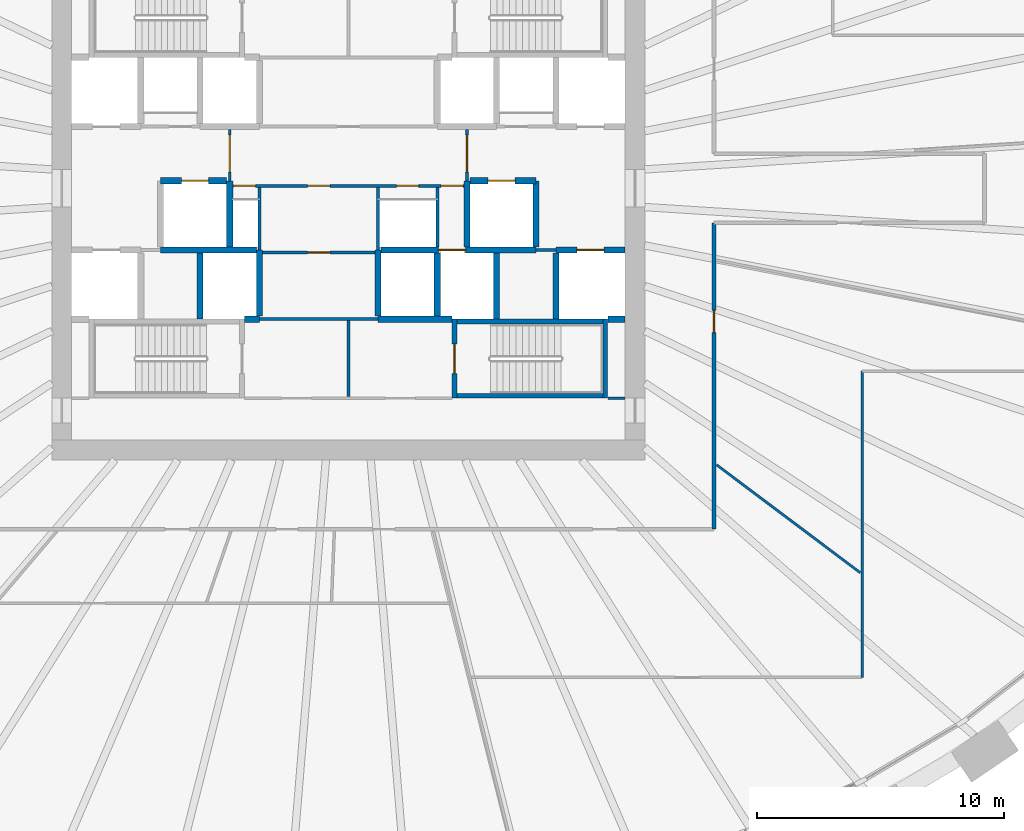
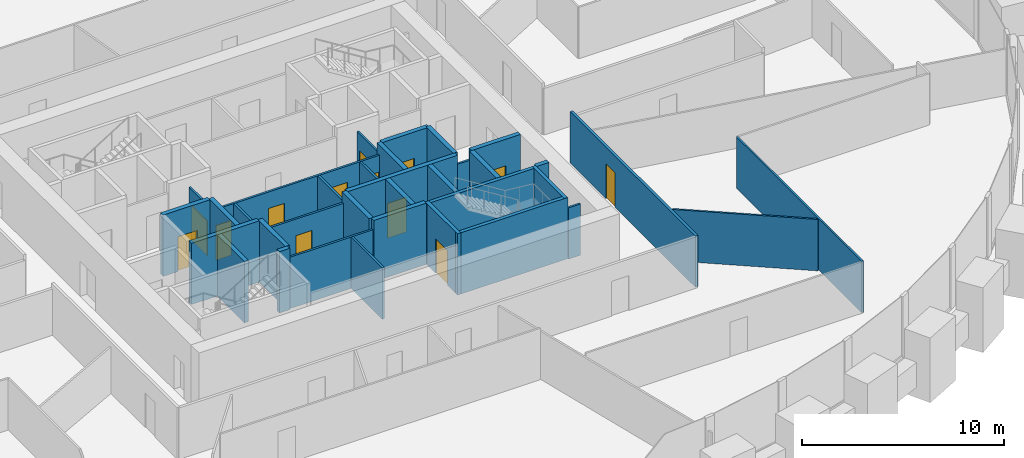
# One storey, part 7 of 11: 35 walls, 13 doors, 13 openings.
"""IFC4 building model written with IfcOpenShell, lengths in metres."""

from ifc_helpers import new_model, si_unit, direction, frame, frame_2d, origin, place, context, subcontext, project, spatial, rectangle, extrude, source, transform, mapped, material, layer, layer_set, type_object, element, fill, save


model = new_model("IFC4")

# Units and contexts
model_context = context("Model", 3, precision=1e-05, world=origin(), true_north=direction((0.0, 1.0)))
body_context = subcontext(model_context, "Body", "Model", "MODEL_VIEW")
ifc_project = project(units=[si_unit("LENGTHUNIT", "METRE"), si_unit("AREAUNIT", "SQUARE_METRE"), si_unit("VOLUMEUNIT", "CUBIC_METRE"), si_unit("PLANEANGLEUNIT", "RADIAN"), si_unit("MASSUNIT", "GRAM", prefix="KILO")], contexts=[model_context])

# Site, building, storey
site_placement = place(None, origin())
site = spatial("IfcSite", under=ifc_project, at=site_placement, CompositionType="ELEMENT")
building_placement = place(site_placement, origin())
building = spatial("IfcBuilding", under=site, at=building_placement, Name="Embergate Tower", CompositionType="ELEMENT")
storey_placement = place(building_placement, frame((0.0, 0.0, 135.89990234375)))
storey = spatial("IfcBuildingStorey", under=building, at=storey_placement, Name="L29", CompositionType="ELEMENT", Elevation=135.89990234375)

# Wall, opening, door
ifc_material_1 = material(Name="Core partition blockwork 120")
ifc_layer_1 = layer(ifc_material_1, 0.1201171875)
ifc_layer_set_1 = layer_set([ifc_layer_1], Name="Core partition blockwork 120")
wall_type_1 = type_object("IfcWallType", Name="Core partition blockwork 120", PredefinedType="PARTITIONING", material=ifc_layer_set_1)
shared_shape_1 = source(origin(), body_context, "Body", "SweptSolid", [
    extrude(rectangle(XDim=2.074951171875, YDim=0.1201171875, at=frame_2d((1.03759765625, 0.0))), origin(), (0.0, 0.0, 1.0), 3.10009765625),
])
wall_1_placement = place(storey_placement, frame((-4.800048828125, 2.375, 0.0), z_axis=(0.0, 0.0, 1.0), x_axis=(0.0, -1.0, 0.0)))
wall_1 = element("IfcWall", 1, at=wall_1_placement, inside=storey, type_object=wall_type_1, Name="IP-3 wall", PredefinedType="PARTITIONING", context=body_context, shape_type="MappedRepresentation", body=[
    mapped(shared_shape_1, transform((0.0, 0.0, 0.0))),
])
shared_shape_2 = source(origin(), body_context, "Body", "SweptSolid", [
    extrude(rectangle(XDim=1.5, YDim=2.10009765625, at=frame_2d((0.75, 1.050048828125))), frame((0.0, 0.070068359375, 0.0), z_axis=(0.0, -1.0, 0.0), x_axis=(1.0, 0.0, 0.0)), (0.0, 0.0, 1.0), 0.14013671875),
])
opening_1_placement = place(wall_1_placement, frame((0.22509765625, 0.0, 0.0)))
opening_1 = element("IfcOpeningElement", 2, at=opening_1_placement, cuts=wall_1, Name="Opening IF-3", PredefinedType="OPENING", context=body_context, shape_type="MappedRepresentation", body=[
    mapped(shared_shape_2, transform((0.0, 0.0, 0.0))),
])
ifc_material_2 = material(Name="Lobby fire door pair 1500")
door_type_1 = type_object("IfcDoorType", Name="Lobby fire door pair 1500", OperationType="DOUBLE_DOOR_SINGLE_SWING", PredefinedType="DOOR", material=ifc_material_2)
shared_shape_3 = source(origin(), body_context, "Body", "SweptSolid", [
    extrude(rectangle(XDim=1.5, YDim=2.10009765625, at=frame_2d((0.75, 1.050048828125))), frame((0.0, 0.02490234375, 0.0), z_axis=(0.0, -1.0, 0.0), x_axis=(1.0, 0.0, 0.0)), (0.0, 0.0, 1.0), 0.050048828125),
])
door_1_placement = place(opening_1_placement, origin())
door_1 = element("IfcDoor", 3, at=door_1_placement, inside=storey, type_object=door_type_1, Name="IF-3 door", OperationType="DOUBLE_DOOR_SINGLE_SWING", OverallHeight=2.10009765625, OverallWidth=1.5, PredefinedType="DOOR", context=body_context, shape_type="MappedRepresentation", body=[
    mapped(shared_shape_3, transform((0.0, 0.0, 0.0))),
])
fill(opening_1, door_1)

wall_2_placement = place(storey_placement, frame((4.800048828125, 0.300048828125, 0.0), z_axis=(0.0, 0.0, 1.0), x_axis=(0.0, 1.0, 0.0)))
wall_2 = element("IfcWall", 4, at=wall_2_placement, inside=storey, type_object=wall_type_1, Name="IP-3 wall", PredefinedType="PARTITIONING", context=body_context, shape_type="MappedRepresentation", body=[
    mapped(shared_shape_1, transform((0.0, 0.0, 0.0))),
])
opening_2_placement = place(wall_2_placement, frame((0.35009765625, 0.0, 0.0)))
opening_2 = element("IfcOpeningElement", 5, at=opening_2_placement, cuts=wall_2, Name="Opening IF-3", PredefinedType="OPENING", context=body_context, shape_type="MappedRepresentation", body=[
    mapped(shared_shape_2, transform((0.0, 0.0, 0.0))),
])
door_2_placement = place(opening_2_placement, origin())
door_2 = element("IfcDoor", 6, at=door_2_placement, inside=storey, type_object=door_type_1, Name="IF-3 door", OperationType="DOUBLE_DOOR_SINGLE_SWING", OverallHeight=2.10009765625, OverallWidth=1.5, PredefinedType="DOOR", context=body_context, shape_type="MappedRepresentation", body=[
    mapped(shared_shape_3, transform((0.0, 0.0, 0.0))),
])
fill(opening_2, door_2)

# Walls
ifc_material_3 = material(Name="Concrete C50", Category="concrete")
ifc_layer_2 = layer(ifc_material_3, 0.25)
ifc_layer_set_2 = layer_set([ifc_layer_2], Name="Concrete C50")
wall_type_2 = type_object("IfcWallType", Name="Hoistway wall reinforced concrete 250", PredefinedType="SHEAR", material=ifc_layer_set_2)
shared_shape_4 = source(origin(), body_context, "Body", "SweptSolid", [
    extrude(rectangle(XDim=2.675048828125, YDim=0.25, at=frame_2d((1.33740234375, 0.0))), origin(), (0.0, 0.0, 1.0), 3.7001953125),
])
for number, where, z_axis, x_axis, name in (
    (7, (-3.60009765625, -5.175048828125, 0.0), (0.0, 0.0, 1.0), (0.0, 1.0, 0.0), "HW-1 wall"),
    (8, (1.199951171875, -2.5, 0.0), (0.0, 0.0, 1.0), (0.0, -1.0, 0.0), "HW-1 wall"),
    (9, (-4.800048828125, 0.300048828125, 0.0), (0.0, 0.0, 1.0), (0.0, -1.0, 0.0), "HW-1 wall"),
    (10, (4.800048828125, -2.375, 0.0), (0.0, 0.0, 1.0), (0.0, 1.0, 0.0), "HW-1 wall"),
):
    element("IfcWall", number, at=place(storey_placement, frame(where, z_axis=z_axis, x_axis=x_axis)), inside=storey, type_object=wall_type_2, Name=name, PredefinedType="SHEAR", context=body_context, shape_type="MappedRepresentation", body=[
        mapped(shared_shape_4, transform((0.0, 0.0, 0.0))),
    ])

# Wall, opening, door
wall_3_placement = place(storey_placement, frame((-4.925048828125, 0.300048828125, 0.0), z_axis=(0.0, 0.0, 1.0), x_axis=(-1.0, 0.0, 0.0)))
wall_3 = element("IfcWall", 11, at=wall_3_placement, inside=storey, type_object=wall_type_2, Name="HW-1 wall", PredefinedType="SHEAR", context=body_context, shape_type="MappedRepresentation", body=[
    mapped(shared_shape_4, transform((0.0, 0.0, 0.0))),
])
shared_shape_5 = source(origin(), body_context, "Body", "SweptSolid", [
    extrude(rectangle(XDim=1.10009765625, YDim=2.10009765625, at=frame_2d((0.550048828125, 1.050048828125))), frame((0.0, 0.135009765625, 0.0), z_axis=(0.0, -1.0, 0.0), x_axis=(1.0, 0.0, 0.0)), (0.0, 0.0, 1.0), 0.27001953125),
])
opening_3_placement = place(wall_3_placement, frame((0.72509765625, 0.0, 0.0)))
opening_3 = element("IfcOpeningElement", 12, at=opening_3_placement, cuts=wall_3, Name="Opening LD", PredefinedType="OPENING", context=body_context, shape_type="MappedRepresentation", body=[
    mapped(shared_shape_5, transform((0.0, 0.0, 0.0))),
])
ifc_material_4 = material(Name="Landing door sliding 1100")
door_type_2 = type_object("IfcDoorType", Name="Landing door sliding 1100", OperationType="SLIDING_TO_LEFT", PredefinedType="DOOR", material=ifc_material_4)
shared_shape_6 = source(origin(), body_context, "Body", "SweptSolid", [
    extrude(rectangle(XDim=1.10009765625, YDim=2.10009765625, at=frame_2d((0.550048828125, 1.050048828125))), frame((0.0, 0.02490234375, 0.0), z_axis=(0.0, -1.0, 0.0), x_axis=(1.0, 0.0, 0.0)), (0.0, 0.0, 1.0), 0.050048828125),
])
door_3_placement = place(opening_3_placement, origin())
door_3 = element("IfcDoor", 13, at=door_3_placement, inside=storey, type_object=door_type_2, Name="LD door", OperationType="SLIDING_TO_LEFT", OverallHeight=2.10009765625, OverallWidth=1.10009765625, PredefinedType="DOOR", context=body_context, shape_type="MappedRepresentation", body=[
    mapped(shared_shape_6, transform((0.0, 0.0, 0.0))),
])
fill(opening_3, door_3)

wall_4_placement = place(storey_placement, frame((7.60009765625, 0.300048828125, 0.0), z_axis=(0.0, 0.0, 1.0), x_axis=(-1.0, 0.0, 0.0)))
wall_4 = element("IfcWall", 14, at=wall_4_placement, inside=storey, type_object=wall_type_2, Name="HW-1 wall", PredefinedType="SHEAR", context=body_context, shape_type="MappedRepresentation", body=[
    mapped(shared_shape_4, transform((0.0, 0.0, 0.0))),
])
opening_4_placement = place(wall_4_placement, frame((0.85009765625, 0.0, 0.0)))
opening_4 = element("IfcOpeningElement", 15, at=opening_4_placement, cuts=wall_4, Name="Opening LD", PredefinedType="OPENING", context=body_context, shape_type="MappedRepresentation", body=[
    mapped(shared_shape_5, transform((0.0, 0.0, 0.0))),
])
door_4_placement = place(opening_4_placement, origin())
door_4 = element("IfcDoor", 16, at=door_4_placement, inside=storey, type_object=door_type_2, Name="LD door", OperationType="SLIDING_TO_LEFT", OverallHeight=2.10009765625, OverallWidth=1.10009765625, PredefinedType="DOOR", context=body_context, shape_type="MappedRepresentation", body=[
    mapped(shared_shape_6, transform((0.0, 0.0, 0.0))),
])
fill(opening_4, door_4)

# Walls
wall_5_placement = place(storey_placement, frame((7.60009765625, -2.375, 0.0), z_axis=(0.0, 0.0, 1.0), x_axis=(0.0, 1.0, 0.0)))
element("IfcWall", 17, at=wall_5_placement, inside=storey, type_object=wall_type_2, Name="HW-1 wall", PredefinedType="SHEAR", context=body_context, shape_type="MappedRepresentation", body=[
    mapped(shared_shape_4, transform((0.0, 0.0, 0.0))),
])
ifc_layer_3 = layer(ifc_material_3, 0.199951171875)
ifc_layer_set_3 = layer_set([ifc_layer_3], Name="Concrete C50")
wall_type_3 = type_object("IfcWallType", Name="Stair enclosure wall reinforced concrete 250", PredefinedType="SHEAR", material=ifc_layer_set_3)
shared_shape_7 = source(origin(), body_context, "Body", "SweptSolid", [
    extrude(rectangle(XDim=6.300048828125, YDim=0.199951171875, at=frame_2d((3.14990234375, 0.0))), origin(), (0.0, 0.0, 1.0), 3.7001953125),
])
for number, where, z_axis, x_axis, name in (
    (18, (4.199951171875, -5.39990234375, 0.0), (0.0, 0.0, 1.0), (1.0, 0.0, 0.0), "SE-1 wall"),
    (19, (4.199951171875, -8.39990234375, 0.0), (0.0, 0.0, 1.0), (1.0, 0.0, 0.0), "SE-1 wall"),
):
    element("IfcWall", number, at=place(storey_placement, frame(where, z_axis=z_axis, x_axis=x_axis)), inside=storey, type_object=wall_type_3, Name=name, PredefinedType="SHEAR", context=body_context, shape_type="MappedRepresentation", body=[
        mapped(shared_shape_7, transform((0.0, 0.0, 0.0))),
    ])
shared_shape_8 = source(origin(), body_context, "Body", "SweptSolid", [
    extrude(rectangle(XDim=2.550048828125, YDim=0.25, at=frame_2d((1.27490234375, 0.0))), origin(), (0.0, 0.0, 1.0), 3.7001953125),
])
wall_6_placement = place(storey_placement, frame((3.60009765625, -5.175048828125, 0.0), z_axis=(0.0, 0.0, 1.0), x_axis=(0.0, 1.0, 0.0)))
element("IfcWall", 20, at=wall_6_placement, inside=storey, type_object=wall_type_2, Name="HW-1 wall", PredefinedType="SHEAR", context=body_context, shape_type="MappedRepresentation", body=[
    mapped(shared_shape_8, transform((0.0, 0.0, 0.0))),
])

# Wall, opening, door
shared_shape_9 = source(origin(), body_context, "Body", "SweptSolid", [
    extrude(rectangle(XDim=3.199951171875, YDim=0.199951171875, at=frame_2d((1.60009765625, 0.0))), origin(), (0.0, 0.0, 1.0), 3.7001953125),
])
wall_7_placement = place(storey_placement, frame((4.300048828125, -5.300048828125, 0.0), z_axis=(0.0, 0.0, 1.0), x_axis=(0.0, -1.0, 0.0)))
wall_7 = element("IfcWall", 21, at=wall_7_placement, inside=storey, type_object=wall_type_3, Name="SE-1 wall", PredefinedType="SHEAR", context=body_context, shape_type="MappedRepresentation", body=[
    mapped(shared_shape_9, transform((0.0, 0.0, 0.0))),
])
shared_shape_10 = source(origin(), body_context, "Body", "SweptSolid", [
    extrude(rectangle(XDim=1.199951171875, YDim=2.10009765625, at=frame_2d((0.60009765625, 1.050048828125))), frame((0.0, 0.10986328125, 0.0), z_axis=(0.0, -1.0, 0.0), x_axis=(1.0, 0.0, 0.0)), (0.0, 0.0, 1.0), 0.219970703125),
])
opening_5_placement = place(wall_7_placement, frame((1.0, 0.0, 0.0)))
opening_5 = element("IfcOpeningElement", 22, at=opening_5_placement, cuts=wall_7, Name="Opening IF-2", PredefinedType="OPENING", context=body_context, shape_type="MappedRepresentation", body=[
    mapped(shared_shape_10, transform((0.0, 0.0, 0.0))),
])
ifc_material_5 = material(Name="Stair enclosure door 1200")
door_type_3 = type_object("IfcDoorType", Name="Stair enclosure door 1200", OperationType="SINGLE_SWING_LEFT", PredefinedType="DOOR", material=ifc_material_5)
shared_shape_11 = source(origin(), body_context, "Body", "SweptSolid", [
    extrude(rectangle(XDim=1.199951171875, YDim=2.10009765625, at=frame_2d((0.60009765625, 1.050048828125))), frame((0.0, 0.02490234375, 0.0), z_axis=(0.0, -1.0, 0.0), x_axis=(1.0, 0.0, 0.0)), (0.0, 0.0, 1.0), 0.050048828125),
])
door_5_placement = place(opening_5_placement, origin())
door_5 = element("IfcDoor", 23, at=door_5_placement, inside=storey, type_object=door_type_3, Name="IF-2 door", OperationType="SINGLE_SWING_LEFT", OverallHeight=2.10009765625, OverallWidth=1.199951171875, PredefinedType="DOOR", context=body_context, shape_type="MappedRepresentation", body=[
    mapped(shared_shape_11, transform((0.0, 0.0, 0.0))),
])
fill(opening_5, door_5)

ifc_material_6 = material(Name="Corridor wall dry-lined 150")
ifc_layer_4 = layer(ifc_material_6, 0.14990234375)
ifc_layer_set_4 = layer_set([ifc_layer_4], Name="Corridor wall dry-lined 150")
wall_type_4 = type_object("IfcWallType", Name="Corridor wall dry-lined 150", PredefinedType="PARTITIONING", material=ifc_layer_set_4)
shared_shape_12 = source(origin(), body_context, "Body", "SweptSolid", [
    extrude(rectangle(XDim=12.400146484375, YDim=0.14990234375, at=frame_2d((6.2001953125, 0.0))), origin(), (0.0, 0.0, 1.0), 3.10009765625),
])
wall_8_placement = place(storey_placement, frame((14.800048828125, -1.39990234375, 0.0), z_axis=(0.0, 0.0, 1.0), x_axis=(0.0, -1.0, 0.0)))
wall_8 = element("IfcWall", 24, at=wall_8_placement, inside=storey, type_object=wall_type_4, Name="IP-2 wall", PredefinedType="PARTITIONING", context=body_context, shape_type="MappedRepresentation", body=[
    mapped(shared_shape_12, transform((0.0, 0.0, 0.0))),
])
shared_shape_13 = source(origin(), body_context, "Body", "SweptSolid", [
    extrude(rectangle(XDim=0.89990234375, YDim=2.10009765625, at=frame_2d((0.449951171875, 1.050048828125))), frame((0.0, 0.0849609375, 0.0), z_axis=(0.0, -1.0, 0.0), x_axis=(1.0, 0.0, 0.0)), (0.0, 0.0, 1.0), 0.169921875),
])
opening_6_placement = place(wall_8_placement, frame((3.5400390625, 0.0, 0.0)))
opening_6 = element("IfcOpeningElement", 25, at=opening_6_placement, cuts=wall_8, Name="Opening IF-1c", PredefinedType="OPENING", context=body_context, shape_type="MappedRepresentation", body=[
    mapped(shared_shape_13, transform((0.0, 0.0, 0.0))),
])
ifc_material_7 = material(Name="Escape fire door 900")
door_type_4 = type_object("IfcDoorType", Name="Escape fire door 900", OperationType="SINGLE_SWING_LEFT", PredefinedType="DOOR", material=ifc_material_7)
shared_shape_14 = source(origin(), body_context, "Body", "SweptSolid", [
    extrude(rectangle(XDim=0.89990234375, YDim=2.10009765625, at=frame_2d((0.449951171875, 1.050048828125))), frame((0.0, 0.02490234375, 0.0), z_axis=(0.0, -1.0, 0.0), x_axis=(1.0, 0.0, 0.0)), (0.0, 0.0, 1.0), 0.050048828125),
])
door_6_placement = place(opening_6_placement, origin())
door_6 = element("IfcDoor", 26, at=door_6_placement, inside=storey, type_object=door_type_4, Name="IF-1 door", OperationType="SINGLE_SWING_LEFT", OverallHeight=2.10009765625, OverallWidth=0.89990234375, PredefinedType="DOOR", context=body_context, shape_type="MappedRepresentation", body=[
    mapped(shared_shape_14, transform((0.0, 0.0, 0.0))),
])
fill(opening_6, door_6)

# Walls
ifc_material_8 = material(Name="Partition dry-lined 100")
ifc_layer_5 = layer(ifc_material_8, 0.10009765625)
ifc_layer_set_5 = layer_set([ifc_layer_5], Name="Partition dry-lined 100")
wall_type_5 = type_object("IfcWallType", Name="Partition dry-lined 100", PredefinedType="PARTITIONING", material=ifc_layer_set_5)
shared_shape_15 = source(origin(), body_context, "Body", "SweptSolid", [
    extrude(rectangle(XDim=7.272216796875, YDim=0.10009765625, at=frame_2d((3.63623046875, 0.0))), origin(), (0.0, 0.0, 1.0), 3.10009765625),
])
wall_9_placement = place(storey_placement, frame((14.905029296875, -11.194091796875, 0.0), z_axis=(0.0, 0.0, 1.0), x_axis=(0.799621146957, -0.600504805425, 0.0)))
element("IfcWall", 27, at=wall_9_placement, inside=storey, type_object=wall_type_5, Name="IP-1 wall", PredefinedType="PARTITIONING", context=body_context, shape_type="MappedRepresentation", body=[
    mapped(shared_shape_15, transform((0.0, 0.0, 0.0))),
])
shared_shape_16 = source(origin(), body_context, "Body", "SweptSolid", [
    extrude(rectangle(XDim=12.400146484375, YDim=0.10009765625, at=frame_2d((6.2001953125, 0.0))), origin(), (0.0, 0.0, 1.0), 3.10009765625),
])
wall_10_placement = place(storey_placement, frame((20.800048828125, -19.800048828125, 0.0), z_axis=(0.0, 0.0, 1.0), x_axis=(0.0, 1.0, 0.0)))
element("IfcWall", 28, at=wall_10_placement, inside=storey, type_object=wall_type_5, Name="IP-1 wall", PredefinedType="PARTITIONING", context=body_context, shape_type="MappedRepresentation", body=[
    mapped(shared_shape_16, transform((0.0, 0.0, 0.0))),
])

# Wall, openings, doors
shared_shape_17 = source(origin(), body_context, "Body", "SweptSolid", [
    extrude(rectangle(XDim=9.35009765625, YDim=0.1201171875, at=frame_2d((4.675048828125, 0.0))), origin(), (0.0, 0.0, 1.0), 3.10009765625),
])
wall_11_placement = place(storey_placement, frame((-4.675048828125, 0.10009765625, 0.0), z_axis=(0.0, 0.0, 1.0), x_axis=(1.0, 0.0, 0.0)))
wall_11 = element("IfcWall", 29, at=wall_11_placement, inside=storey, type_object=wall_type_1, Name="IP-3 wall", PredefinedType="PARTITIONING", context=body_context, shape_type="MappedRepresentation", body=[
    mapped(shared_shape_17, transform((0.0, 0.0, 0.0))),
])
shared_shape_18 = source(origin(), body_context, "Body", "SweptSolid", [
    extrude(rectangle(XDim=0.89990234375, YDim=2.10009765625, at=frame_2d((0.449951171875, 1.050048828125))), frame((0.0, 0.070068359375, 0.0), z_axis=(0.0, -1.0, 0.0), x_axis=(1.0, 0.0, 0.0)), (0.0, 0.0, 1.0), 0.14013671875),
])
opening_7_placement = place(wall_11_placement, frame((8.425048828125, 0.0, 0.0)))
opening_7 = element("IfcOpeningElement", 30, at=opening_7_placement, cuts=wall_11, Name="Opening IF-3c", PredefinedType="OPENING", context=body_context, shape_type="MappedRepresentation", body=[
    mapped(shared_shape_18, transform((0.0, 0.0, 0.0))),
])
opening_8_placement = place(wall_11_placement, frame((0.02490234375, 0.0, 0.0)))
opening_8 = element("IfcOpeningElement", 31, at=opening_8_placement, cuts=wall_11, Name="Opening ID-1", PredefinedType="OPENING", context=body_context, shape_type="MappedRepresentation", body=[
    mapped(shared_shape_18, transform((0.0, 0.0, 0.0))),
])
opening_9_placement = place(wall_11_placement, frame((6.625, 0.0, 0.0)))
opening_9 = element("IfcOpeningElement", 32, at=opening_9_placement, cuts=wall_11, Name="Opening ID-1", PredefinedType="OPENING", context=body_context, shape_type="MappedRepresentation", body=[
    mapped(shared_shape_18, transform((0.0, 0.0, 0.0))),
])
opening_10_placement = place(wall_11_placement, frame((3.02490234375, 0.0, 0.0)))
opening_10 = element("IfcOpeningElement", 33, at=opening_10_placement, cuts=wall_11, Name="Opening ID-1", PredefinedType="OPENING", context=body_context, shape_type="MappedRepresentation", body=[
    mapped(shared_shape_18, transform((0.0, 0.0, 0.0))),
])
ifc_material_9 = material(Name="Lobby fire door pair 900")
door_type_5 = type_object("IfcDoorType", Name="Lobby fire door pair 900", OperationType="DOUBLE_DOOR_SINGLE_SWING", PredefinedType="DOOR", material=ifc_material_9)
door_7_placement = place(opening_7_placement, origin())
door_7 = element("IfcDoor", 34, at=door_7_placement, inside=storey, type_object=door_type_5, Name="IF-3 door", OperationType="DOUBLE_DOOR_SINGLE_SWING", OverallHeight=2.10009765625, OverallWidth=0.89990234375, PredefinedType="DOOR", context=body_context, shape_type="MappedRepresentation", body=[
    mapped(shared_shape_14, transform((0.0, 0.0, 0.0))),
])
fill(opening_7, door_7)
ifc_material_10 = material(Name="Interior door 900")
door_type_6 = type_object("IfcDoorType", Name="Interior door 900", OperationType="SINGLE_SWING_LEFT", PredefinedType="DOOR", material=ifc_material_10)
door_8_placement = place(opening_8_placement, origin())
door_8 = element("IfcDoor", 35, at=door_8_placement, inside=storey, type_object=door_type_6, Name="ID-1 door", OperationType="SINGLE_SWING_LEFT", OverallHeight=2.10009765625, OverallWidth=0.89990234375, PredefinedType="DOOR", context=body_context, shape_type="MappedRepresentation", body=[
    mapped(shared_shape_14, transform((0.0, 0.0, 0.0))),
])
fill(opening_8, door_8)
door_9_placement = place(opening_9_placement, origin())
door_9 = element("IfcDoor", 36, at=door_9_placement, inside=storey, type_object=door_type_6, Name="ID-1 door", OperationType="SINGLE_SWING_LEFT", OverallHeight=2.10009765625, OverallWidth=0.89990234375, PredefinedType="DOOR", context=body_context, shape_type="MappedRepresentation", body=[
    mapped(shared_shape_14, transform((0.0, 0.0, 0.0))),
])
fill(opening_9, door_9)
door_10_placement = place(opening_10_placement, origin())
door_10 = element("IfcDoor", 37, at=door_10_placement, inside=storey, type_object=door_type_6, Name="ID-1 door", OperationType="SINGLE_SWING_RIGHT", OverallHeight=2.10009765625, OverallWidth=0.89990234375, PredefinedType="DOOR", context=body_context, shape_type="MappedRepresentation", body=[
    mapped(shared_shape_14, transform((0.0, 0.0, 0.0))),
])
fill(opening_10, door_10)

# Walls
shared_shape_19 = source(origin(), body_context, "Body", "SweptSolid", [
    extrude(rectangle(XDim=2.5400390625, YDim=0.1201171875, at=frame_2d((1.27001953125, 0.0))), origin(), (0.0, 0.0, 1.0), 3.10009765625),
])
for number, where, z_axis, x_axis, name in (
    (38, (-3.60009765625, -2.5, 0.0), (0.0, 0.0, 1.0), (0.0, 1.0, 0.0), "IP-3 wall"),
    (39, (1.199951171875, 0.0400390625, 0.0), (0.0, 0.0, 1.0), (0.0, -1.0, 0.0), "IP-3 wall"),
):
    element("IfcWall", number, at=place(storey_placement, frame(where, z_axis=z_axis, x_axis=x_axis)), inside=storey, type_object=wall_type_1, Name=name, PredefinedType="PARTITIONING", context=body_context, shape_type="MappedRepresentation", body=[
        mapped(shared_shape_19, transform((0.0, 0.0, 0.0))),
    ])
shared_shape_20 = source(origin(), body_context, "Body", "SweptSolid", [
    extrude(rectangle(XDim=2.4150390625, YDim=0.1201171875, at=frame_2d((1.20751953125, 0.0))), origin(), (0.0, 0.0, 1.0), 3.10009765625),
])
wall_12_placement = place(storey_placement, frame((3.60009765625, -2.375, 0.0), z_axis=(0.0, 0.0, 1.0), x_axis=(0.0, 1.0, 0.0)))
element("IfcWall", 40, at=wall_12_placement, inside=storey, type_object=wall_type_1, Name="IP-3 wall", PredefinedType="PARTITIONING", context=body_context, shape_type="MappedRepresentation", body=[
    mapped(shared_shape_20, transform((0.0, 0.0, 0.0))),
])
shared_shape_21 = source(origin(), body_context, "Body", "SweptSolid", [
    extrude(rectangle(XDim=3.079833984375, YDim=0.1201171875, at=frame_2d((1.5400390625, 0.0))), origin(), (0.0, 0.0, 1.0), 3.10009765625),
])
wall_13_placement = place(storey_placement, frame((0.0, -8.43994140625, 0.0), z_axis=(0.0, 0.0, 1.0), x_axis=(0.0, 1.0, 0.0)))
element("IfcWall", 41, at=wall_13_placement, inside=storey, type_object=wall_type_1, Name="IP-3 wall", PredefinedType="PARTITIONING", context=body_context, shape_type="MappedRepresentation", body=[
    mapped(shared_shape_21, transform((0.0, 0.0, 0.0))),
])
shared_shape_22 = source(origin(), body_context, "Body", "SweptSolid", [
    extrude(rectangle(XDim=4.800048828125, YDim=0.1201171875, at=frame_2d((2.39990234375, 0.0))), origin(), (0.0, 0.0, 1.0), 3.10009765625),
])
wall_14_placement = place(storey_placement, frame((1.199951171875, -5.300048828125, 0.0), z_axis=(0.0, 0.0, 1.0), x_axis=(-1.0, 0.0, 0.0)))
element("IfcWall", 42, at=wall_14_placement, inside=storey, type_object=wall_type_1, Name="IP-3 wall", PredefinedType="PARTITIONING", context=body_context, shape_type="MappedRepresentation", body=[
    mapped(shared_shape_22, transform((0.0, 0.0, 0.0))),
])

# Wall, opening, door
shared_shape_23 = source(origin(), body_context, "Body", "SweptSolid", [
    extrude(rectangle(XDim=4.550048828125, YDim=0.1201171875, at=frame_2d((2.27490234375, 0.0))), origin(), (0.0, 0.0, 1.0), 3.10009765625),
])
wall_15_placement = place(storey_placement, frame((1.074951171875, -2.60009765625, 0.0), z_axis=(0.0, 0.0, 1.0), x_axis=(-1.0, 0.0, 0.0)))
wall_15 = element("IfcWall", 43, at=wall_15_placement, inside=storey, type_object=wall_type_1, Name="IP-3 wall", PredefinedType="PARTITIONING", context=body_context, shape_type="MappedRepresentation", body=[
    mapped(shared_shape_23, transform((0.0, 0.0, 0.0))),
])
opening_11_placement = place(wall_15_placement, frame((1.824951171875, 0.0, 0.0)))
opening_11 = element("IfcOpeningElement", 44, at=opening_11_placement, cuts=wall_15, Name="Opening ID-1", PredefinedType="OPENING", context=body_context, shape_type="MappedRepresentation", body=[
    mapped(shared_shape_18, transform((0.0, 0.0, 0.0))),
])
door_11_placement = place(opening_11_placement, origin())
door_11 = element("IfcDoor", 45, at=door_11_placement, inside=storey, type_object=door_type_6, Name="ID-1 door", OperationType="SINGLE_SWING_RIGHT", OverallHeight=2.10009765625, OverallWidth=0.89990234375, PredefinedType="DOOR", context=body_context, shape_type="MappedRepresentation", body=[
    mapped(shared_shape_14, transform((0.0, 0.0, 0.0))),
])
fill(opening_11, door_11)

# Walls
shared_shape_24 = source(origin(), body_context, "Body", "SweptSolid", [
    extrude(rectangle(XDim=0.7958984375, YDim=0.1201171875, at=frame_2d((0.39794921875, 0.0))), origin(), (0.0, 0.0, 1.0), 3.10009765625),
])
wall_16_placement = place(storey_placement, frame((7.60205078125, -2.5, 0.0), z_axis=(0.0, 0.0, 1.0), x_axis=(1.0, 0.0, 0.0)))
element("IfcWall", 46, at=wall_16_placement, inside=storey, type_object=wall_type_1, Name="IP-3 wall", PredefinedType="PARTITIONING", context=body_context, shape_type="MappedRepresentation", body=[
    mapped(shared_shape_24, transform((0.0, 0.0, 0.0))),
])
shared_shape_25 = source(origin(), body_context, "Body", "SweptSolid", [
    extrude(rectangle(XDim=0.697998046875, YDim=0.1201171875, at=frame_2d((0.34912109375, 0.0))), origin(), (0.0, 0.0, 1.0), 3.10009765625),
])
wall_17_placement = place(storey_placement, frame((11.199951171875, -8.5, 0.0), z_axis=(0.0, 0.0, 1.0), x_axis=(-1.0, 0.0, 0.0)))
element("IfcWall", 47, at=wall_17_placement, inside=storey, type_object=wall_type_1, Name="IP-3 wall", PredefinedType="PARTITIONING", context=body_context, shape_type="MappedRepresentation", body=[
    mapped(shared_shape_25, transform((0.0, 0.0, 0.0))),
])

# Wall, opening, door
shared_shape_26 = source(origin(), body_context, "Body", "SweptSolid", [
    extrude(rectangle(XDim=2.800048828125, YDim=0.25, at=frame_2d((1.39990234375, 0.0))), origin(), (0.0, 0.0, 1.0), 3.7001953125),
])
wall_18_placement = place(storey_placement, frame((11.199951171875, -2.5, 0.0), z_axis=(0.0, 0.0, 1.0), x_axis=(-1.0, 0.0, 0.0)))
wall_18 = element("IfcWall", 48, at=wall_18_placement, inside=storey, type_object=wall_type_2, Name="HW-1 wall", PredefinedType="SHEAR", context=body_context, shape_type="MappedRepresentation", body=[
    mapped(shared_shape_26, transform((0.0, 0.0, 0.0))),
])
opening_12_placement = place(wall_18_placement, frame((0.85009765625, 0.0, 0.0)))
opening_12 = element("IfcOpeningElement", 49, at=opening_12_placement, cuts=wall_18, Name="Opening LD", PredefinedType="OPENING", context=body_context, shape_type="MappedRepresentation", body=[
    mapped(shared_shape_5, transform((0.0, 0.0, 0.0))),
])
door_12_placement = place(opening_12_placement, origin())
door_12 = element("IfcDoor", 50, at=door_12_placement, inside=storey, type_object=door_type_2, Name="LD door", OperationType="SLIDING_TO_RIGHT", OverallHeight=2.10009765625, OverallWidth=1.10009765625, PredefinedType="DOOR", context=body_context, shape_type="MappedRepresentation", body=[
    mapped(shared_shape_6, transform((0.0, 0.0, 0.0))),
])
fill(opening_12, door_12)

# Walls
shared_shape_27 = source(origin(), body_context, "Body", "SweptSolid", [
    extrude(rectangle(XDim=0.599853515625, YDim=0.25, at=frame_2d((0.2998046875, 0.0))), origin(), (0.0, 0.0, 1.0), 3.7001953125),
])
wall_19_placement = place(storey_placement, frame((-4.199951171875, -5.300048828125, 0.0), z_axis=(0.0, 0.0, 1.0), x_axis=(1.0, 0.0, 0.0)))
element("IfcWall", 51, at=wall_19_placement, inside=storey, type_object=wall_type_2, Name="HW-1 wall", PredefinedType="SHEAR", context=body_context, shape_type="MappedRepresentation", body=[
    mapped(shared_shape_27, transform((0.0, 0.0, 0.0))),
])
shared_shape_28 = source(origin(), body_context, "Body", "SweptSolid", [
    extrude(rectangle(XDim=3.872802734375, YDim=0.25, at=frame_2d((1.9365234375, 0.0))), origin(), (0.0, 0.0, 1.0), 3.7001953125),
])
wall_20_placement = place(storey_placement, frame((-3.72509765625, -2.5, 0.0), z_axis=(0.0, 0.0, 1.0), x_axis=(-1.0, 0.0, 0.0)))
element("IfcWall", 52, at=wall_20_placement, inside=storey, type_object=wall_type_2, Name="HW-1 wall", PredefinedType="SHEAR", context=body_context, shape_type="MappedRepresentation", body=[
    mapped(shared_shape_28, transform((0.0, 0.0, 0.0))),
])

# Wall, opening, door
shared_shape_29 = source(origin(), body_context, "Body", "SweptSolid", [
    extrude(rectangle(XDim=6.27294921875, YDim=0.25, at=frame_2d((3.136474609375, 0.0))), origin(), (0.0, 0.0, 1.0), 3.7001953125),
])
wall_21_placement = place(storey_placement, frame((7.597900390625, -2.5, 0.0), z_axis=(0.0, 0.0, 1.0), x_axis=(-1.0, 0.0, 0.0)))
wall_21 = element("IfcWall", 53, at=wall_21_placement, inside=storey, type_object=wall_type_2, Name="HW-1 wall", PredefinedType="SHEAR", context=body_context, shape_type="MappedRepresentation", body=[
    mapped(shared_shape_29, transform((0.0, 0.0, 0.0))),
])
opening_13_placement = place(wall_21_placement, frame((2.847900390625, 0.0, 0.0)))
opening_13 = element("IfcOpeningElement", 54, at=opening_13_placement, cuts=wall_21, Name="Opening LD", PredefinedType="OPENING", context=body_context, shape_type="MappedRepresentation", body=[
    mapped(shared_shape_5, transform((0.0, 0.0, 0.0))),
])
door_13_placement = place(opening_13_placement, origin())
door_13 = element("IfcDoor", 55, at=door_13_placement, inside=storey, type_object=door_type_2, Name="LD door", OperationType="SLIDING_TO_RIGHT", OverallHeight=2.10009765625, OverallWidth=1.10009765625, PredefinedType="DOOR", context=body_context, shape_type="MappedRepresentation", body=[
    mapped(shared_shape_6, transform((0.0, 0.0, 0.0))),
])
fill(opening_13, door_13)

# Walls
shared_shape_30 = source(origin(), body_context, "Body", "SweptSolid", [
    extrude(rectangle(XDim=3.0, YDim=0.25, at=frame_2d((1.5, 0.0))), origin(), (0.0, 0.0, 1.0), 3.7001953125),
])
wall_22_placement = place(storey_placement, frame((1.199951171875, -5.300048828125, 0.0), z_axis=(0.0, 0.0, 1.0), x_axis=(1.0, 0.0, 0.0)))
element("IfcWall", 56, at=wall_22_placement, inside=storey, type_object=wall_type_2, Name="HW-1 wall", PredefinedType="SHEAR", context=body_context, shape_type="MappedRepresentation", body=[
    mapped(shared_shape_30, transform((0.0, 0.0, 0.0))),
])
shared_shape_31 = source(origin(), body_context, "Body", "SweptSolid", [
    extrude(rectangle(XDim=3.196044921875, YDim=0.199951171875, at=frame_2d((1.59814453125, 0.0))), origin(), (0.0, 0.0, 1.0), 3.7001953125),
])
wall_23_placement = place(storey_placement, frame((10.39990234375, -8.498046875, 0.0), z_axis=(0.0, 0.0, 1.0), x_axis=(0.0, 1.0, 0.0)))
element("IfcWall", 57, at=wall_23_placement, inside=storey, type_object=wall_type_3, Name="SE-1 wall", PredefinedType="SHEAR", context=body_context, shape_type="MappedRepresentation", body=[
    mapped(shared_shape_31, transform((0.0, 0.0, 0.0))),
])
shared_shape_32 = source(origin(), body_context, "Body", "SweptSolid", [
    extrude(rectangle(XDim=0.697998046875, YDim=0.25, at=frame_2d((0.34912109375, 0.0))), origin(), (0.0, 0.0, 1.0), 3.7001953125),
])
wall_24_placement = place(storey_placement, frame((10.501953125, -5.300048828125, 0.0), z_axis=(0.0, 0.0, 1.0), x_axis=(1.0, 0.0, 0.0)))
element("IfcWall", 58, at=wall_24_placement, inside=storey, type_object=wall_type_2, Name="HW-1 wall", PredefinedType="SHEAR", context=body_context, shape_type="MappedRepresentation", body=[
    mapped(shared_shape_32, transform((0.0, 0.0, 0.0))),
])
shared_shape_33 = source(origin(), body_context, "Body", "SweptSolid", [
    extrude(rectangle(XDim=2.671142578125, YDim=0.25, at=frame_2d((1.33544921875, 0.0))), origin(), (0.0, 0.0, 1.0), 3.7001953125),
])
for number, where, z_axis, x_axis, name in (
    (59, (-6.0, -2.626953125, 0.0), (0.0, 0.0, 1.0), (0.0, -1.0, 0.0), "HW-1 wall"),
    (60, (6.0, -5.298095703125, 0.0), (0.0, 0.0, 1.0), (0.0, 1.0, 0.0), "HW-1 wall"),
    (61, (8.39990234375, -2.626953125, 0.0), (0.0, 0.0, 1.0), (0.0, -1.0, 0.0), "HW-1 wall"),
):
    element("IfcWall", number, at=place(storey_placement, frame(where, z_axis=z_axis, x_axis=x_axis)), inside=storey, type_object=wall_type_2, Name=name, PredefinedType="SHEAR", context=body_context, shape_type="MappedRepresentation", body=[
        mapped(shared_shape_33, transform((0.0, 0.0, 0.0))),
    ])

save(model, "model.ifc")
